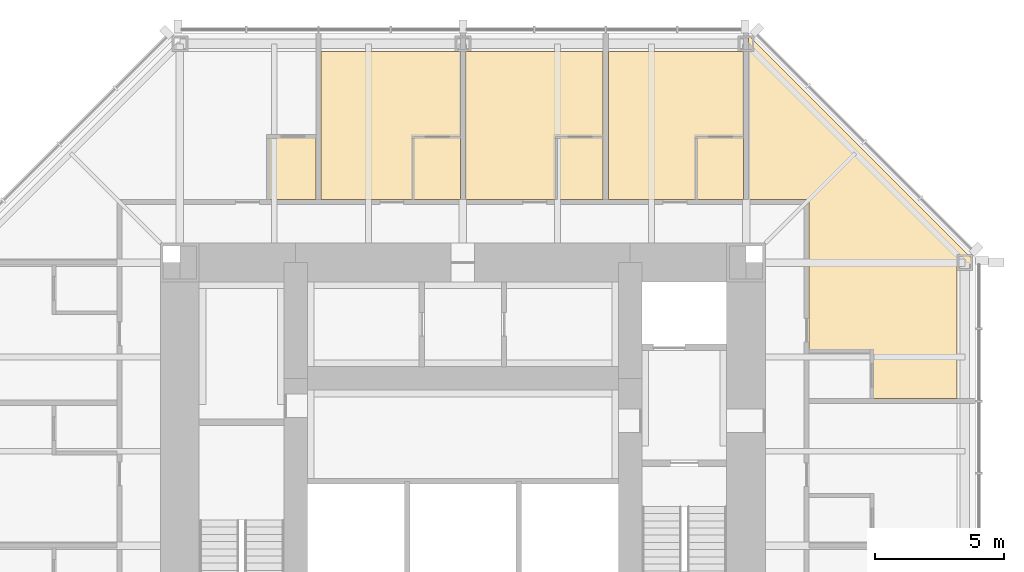
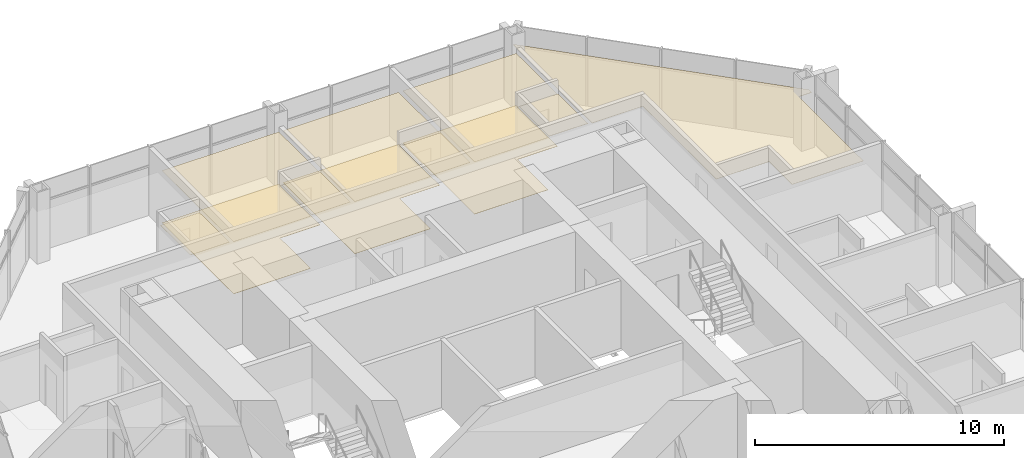
# One storey, part 12 of 12: 11 coverings.
"""IFC4 building model written with IfcOpenShell, lengths in metres."""

from ifc_helpers import new_model, si_unit, direction, frame, origin, place, context, subcontext, project, spatial, polyline, outline, extrude, material, layer, layer_set, type_object, element, save


model = new_model("IFC4")

# Units and contexts
model_context = context("Model", 3, precision=1e-05, world=origin(), true_north=direction((0.0, 1.0)))
body_context = subcontext(model_context, "Body", "Model", "MODEL_VIEW")
ifc_project = project(units=[si_unit("LENGTHUNIT", "METRE"), si_unit("AREAUNIT", "SQUARE_METRE"), si_unit("VOLUMEUNIT", "CUBIC_METRE"), si_unit("PLANEANGLEUNIT", "RADIAN"), si_unit("MASSUNIT", "GRAM", prefix="KILO")], contexts=[model_context])

# Site, building, storey
site_placement = place(None, origin())
site = spatial("IfcSite", under=ifc_project, at=site_placement, CompositionType="ELEMENT")
building_placement = place(site_placement, origin())
building = spatial("IfcBuilding", under=site, at=building_placement, Name="Trevanion Tower", CompositionType="ELEMENT")
storey_placement = place(building_placement, frame((0.0, 0.0, 197.699951171875)))
storey = spatial("IfcBuildingStorey", under=building, at=storey_placement, Name="L46", CompositionType="ELEMENT", Elevation=197.699951171875)

# Coverings
ifc_material_1 = material(Name="Gypsum plasterboard on suspended metal furring", Category="gypsum")
ifc_layer_1 = layer(ifc_material_1, 0.012939453125)
ifc_layer_set_1 = layer_set([ifc_layer_1], Name="CL3 plasterboard ceiling 13")
covering_type_1 = type_object("IfcCoveringType", Name="CL3 plasterboard ceiling 13", PredefinedType="CEILING", material=ifc_layer_set_1)
covering_1_placement = place(storey_placement, frame((0.0, 0.0, 2.551025390625)))
element("IfcCovering", 1, at=covering_1_placement, inside=storey, type_object=covering_type_1, Name="CL3 L46-GR3", PredefinedType="CEILING", context=body_context, shape_type="SweptSolid", body=[
    extrude(outline(polyline([(11.10009765625, 13.449951171875), (11.10009765625, 19.800048828125), (11.124267578125, 19.800048828125), (19.800048828125, 11.124267578125), (19.800048828125, 10.89990234375), (19.199951171875, 10.89990234375), (19.199951171875, 5.714111328125), (15.89990234375, 5.714111328125), (15.89990234375, 7.56396484375), (13.449951171875, 7.56396484375), (13.449951171875, 13.449951171875), (11.10009765625, 13.449951171875)])), origin(), (0.0, 0.0, 1.0), 0.012939453125),
])
covering_2_placement = place(storey_placement, frame((0.0, 0.0, 2.551025390625)))
element("IfcCovering", 2, at=covering_2_placement, inside=storey, type_object=covering_type_1, Name="CL3 L46-GR4", PredefinedType="CEILING", context=body_context, shape_type="SweptSolid", body=[
    extrude(outline(polyline([(5.64892578125, 13.449951171875), (5.64892578125, 19.199951171875), (10.89990234375, 19.199951171875), (10.89990234375, 15.89990234375), (9.050048828125, 15.89990234375), (9.050048828125, 13.449951171875), (5.64892578125, 13.449951171875)])), origin(), (0.0, 0.0, 1.0), 0.012939453125),
])
covering_3_placement = place(storey_placement, frame((0.0, 0.0, 2.551025390625)))
element("IfcCovering", 3, at=covering_3_placement, inside=storey, type_object=covering_type_1, Name="CL3 L46-GR5", PredefinedType="CEILING", context=body_context, shape_type="SweptSolid", body=[
    extrude(outline(polyline([(0.10009765625, 13.449951171875), (0.10009765625, 19.199951171875), (5.448974609375, 19.199951171875), (5.448974609375, 15.89990234375), (3.59912109375, 15.89990234375), (3.59912109375, 13.449951171875), (0.10009765625, 13.449951171875)])), origin(), (0.0, 0.0, 1.0), 0.012939453125),
])
covering_4_placement = place(storey_placement, frame((0.0, 0.0, 2.551025390625)))
element("IfcCovering", 4, at=covering_4_placement, inside=storey, type_object=covering_type_1, Name="CL3 L46-GR6", PredefinedType="CEILING", context=body_context, shape_type="SweptSolid", body=[
    extrude(outline(polyline([(-5.513916015625, 13.449951171875), (-5.513916015625, 19.199951171875), (-0.10009765625, 19.199951171875), (-0.10009765625, 15.89990234375), (-1.949951171875, 15.89990234375), (-1.949951171875, 13.449951171875), (-5.513916015625, 13.449951171875)])), origin(), (0.0, 0.0, 1.0), 0.012939453125),
])
ifc_material_2 = material(Name="Moisture-resistant gypsum board on suspended metal furring", Category="gypsum")
ifc_layer_2 = layer(ifc_material_2, 0.01611328125)
ifc_layer_set_2 = layer_set([ifc_layer_2], Name="CL4 moisture-resistant board ceiling 16")
covering_type_2 = type_object("IfcCoveringType", Name="CL4 moisture-resistant board ceiling 16", PredefinedType="CEILING", material=ifc_layer_set_2)
covering_5_placement = place(storey_placement, frame((0.0, 0.0, 2.60009765625)))
element("IfcCovering", 5, at=covering_5_placement, inside=storey, type_object=covering_type_2, Name="CL4 L46-EN5", PredefinedType="CEILING", context=body_context, shape_type="SweptSolid", body=[
    extrude(outline(polyline([(10.89990234375, 15.85009765625), (9.10009765625, 15.85009765625), (9.10009765625, 13.449951171875), (10.89990234375, 13.449951171875), (10.89990234375, 15.85009765625)])), origin(), (0.0, 0.0, 1.0), 0.015869140625),
])
covering_6_placement = place(storey_placement, frame((0.0, 0.0, 2.60009765625)))
element("IfcCovering", 6, at=covering_6_placement, inside=storey, type_object=covering_type_2, Name="CL4 L46-EN6", PredefinedType="CEILING", context=body_context, shape_type="SweptSolid", body=[
    extrude(outline(polyline([(5.448974609375, 15.85009765625), (3.64892578125, 15.85009765625), (3.64892578125, 13.449951171875), (5.448974609375, 13.449951171875), (5.448974609375, 15.85009765625)])), origin(), (0.0, 0.0, 1.0), 0.015869140625),
])
covering_7_placement = place(storey_placement, frame((0.0, 0.0, 2.60009765625)))
element("IfcCovering", 7, at=covering_7_placement, inside=storey, type_object=covering_type_2, Name="CL4 L46-EN7", PredefinedType="CEILING", context=body_context, shape_type="SweptSolid", body=[
    extrude(outline(polyline([(-0.10009765625, 15.85009765625), (-1.89990234375, 15.85009765625), (-1.89990234375, 13.449951171875), (-0.10009765625, 13.449951171875), (-0.10009765625, 15.85009765625)])), origin(), (0.0, 0.0, 1.0), 0.015869140625),
])
covering_8_placement = place(storey_placement, frame((0.0, 0.0, 2.60009765625)))
element("IfcCovering", 8, at=covering_8_placement, inside=storey, type_object=covering_type_2, Name="CL4 L46-EN8", PredefinedType="CEILING", context=body_context, shape_type="SweptSolid", body=[
    extrude(outline(polyline([(-5.714111328125, 15.85009765625), (-7.513916015625, 15.85009765625), (-7.513916015625, 13.449951171875), (-5.714111328125, 13.449951171875), (-5.714111328125, 15.85009765625)])), origin(), (0.0, 0.0, 1.0), 0.015869140625),
])
ifc_material_3 = material(Name="Wool carpet on underlay", Category="textile")
ifc_layer_3 = layer(ifc_material_3, 0.011962890625)
ifc_layer_set_3 = layer_set([ifc_layer_3], Name="FF2 carpet flooring")
covering_type_3 = type_object("IfcCoveringType", Name="FF2 carpet flooring", PredefinedType="FLOORING", material=ifc_layer_set_3)
covering_9_placement = place(storey_placement, origin())
element("IfcCovering", 9, at=covering_9_placement, inside=storey, type_object=covering_type_3, Name="FF2 L46-GR4", PredefinedType="FLOORING", context=body_context, shape_type="SweptSolid", body=[
    extrude(outline(polyline([(5.64892578125, 13.449951171875), (5.64892578125, 19.199951171875), (10.89990234375, 19.199951171875), (10.89990234375, 15.89990234375), (9.050048828125, 15.89990234375), (9.050048828125, 13.449951171875), (5.64892578125, 13.449951171875)])), origin(), (0.0, 0.0, 1.0), 0.011962890625),
])
covering_10_placement = place(storey_placement, origin())
element("IfcCovering", 10, at=covering_10_placement, inside=storey, type_object=covering_type_3, Name="FF2 L46-GR5", PredefinedType="FLOORING", context=body_context, shape_type="SweptSolid", body=[
    extrude(outline(polyline([(0.10009765625, 13.449951171875), (0.10009765625, 19.199951171875), (5.448974609375, 19.199951171875), (5.448974609375, 15.89990234375), (3.59912109375, 15.89990234375), (3.59912109375, 13.449951171875), (0.10009765625, 13.449951171875)])), origin(), (0.0, 0.0, 1.0), 0.011962890625),
])
covering_11_placement = place(storey_placement, origin())
element("IfcCovering", 11, at=covering_11_placement, inside=storey, type_object=covering_type_3, Name="FF2 L46-GR6", PredefinedType="FLOORING", context=body_context, shape_type="SweptSolid", body=[
    extrude(outline(polyline([(-5.513916015625, 13.449951171875), (-5.513916015625, 19.199951171875), (-0.10009765625, 19.199951171875), (-0.10009765625, 15.89990234375), (-1.949951171875, 15.89990234375), (-1.949951171875, 13.449951171875), (-5.513916015625, 13.449951171875)])), origin(), (0.0, 0.0, 1.0), 0.011962890625),
])

save(model, "model.ifc")
